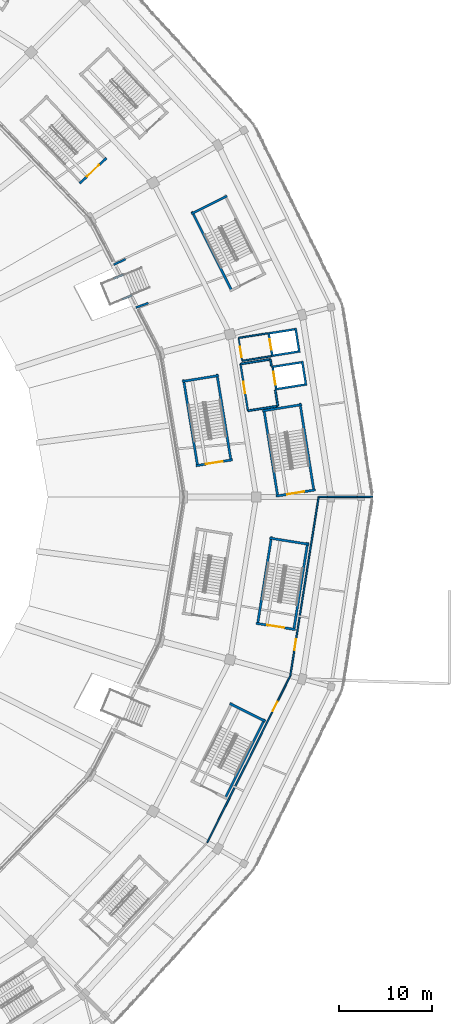
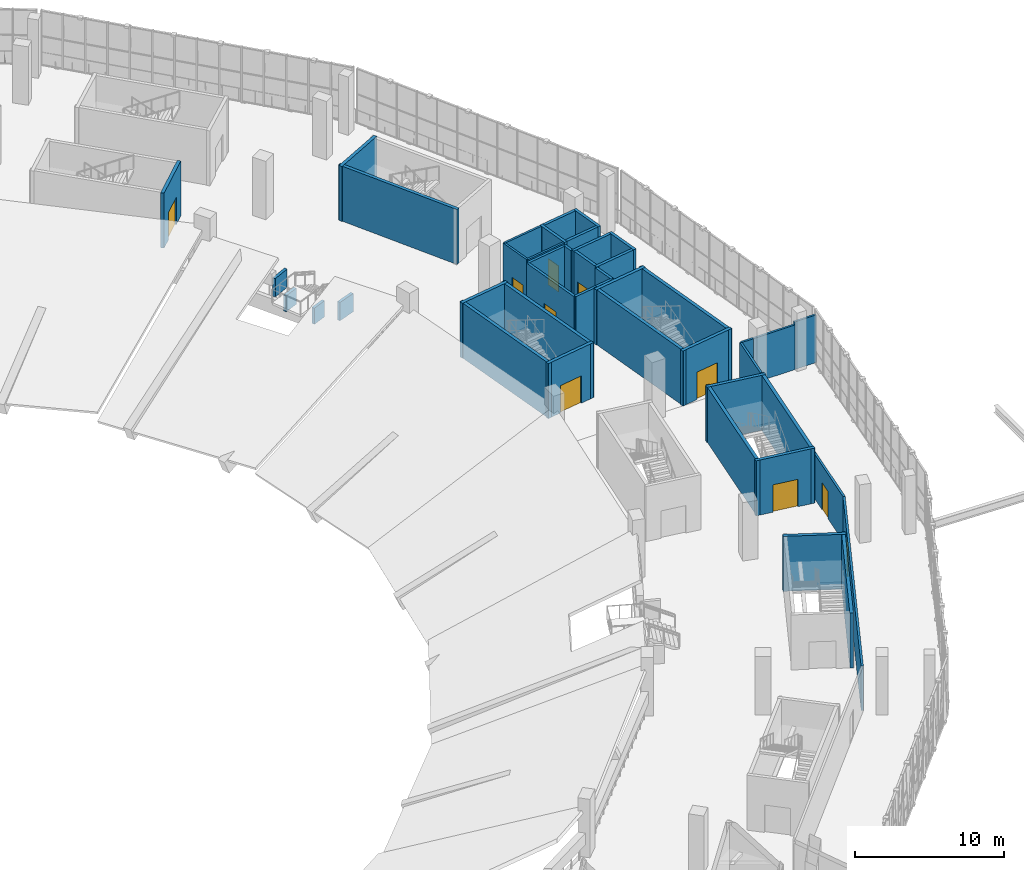
# One storey, part 105 of 183: 42 walls, 10 doors, 10 openings.
"""IFC4 building model written with IfcOpenShell, lengths in metres."""

from ifc_helpers import new_model, si_unit, direction, frame, frame_2d, origin, place, context, subcontext, project, spatial, rectangle, extrude, material, layer, layer_set, type_object, element, fill, save


model = new_model("IFC4")

# Units and contexts
model_context = context("Model", 3, precision=1e-05, world=origin(), true_north=direction((0.0, 1.0)))
body_context = subcontext(model_context, "Body", "Model", "MODEL_VIEW")
ifc_project = project(units=[si_unit("LENGTHUNIT", "METRE"), si_unit("AREAUNIT", "SQUARE_METRE"), si_unit("VOLUMEUNIT", "CUBIC_METRE"), si_unit("PLANEANGLEUNIT", "RADIAN"), si_unit("MASSUNIT", "GRAM", prefix="KILO")], contexts=[model_context])

# Site, building, storey
site_placement = place(None, origin())
site = spatial("IfcSite", under=ifc_project, at=site_placement, CompositionType="ELEMENT")
building_placement = place(site_placement, origin())
building = spatial("IfcBuilding", under=site, at=building_placement, Name="Zevraka Park Crest Stadium", CompositionType="ELEMENT")
storey_placement = place(building_placement, frame((0.0, 0.0, 5.39990234375)))
storey = spatial("IfcBuildingStorey", under=building, at=storey_placement, Name="L01", CompositionType="ELEMENT", Elevation=5.39990234375)

# Walls
ifc_material_1 = material(Name="Autoclaved aerated masonry blockwork", Category="masonry")
ifc_layer_1 = layer(ifc_material_1, 0.199951171875)
ifc_layer_set_1 = layer_set([ifc_layer_1], Name="Autoclaved aerated masonry blockwork")
wall_type_1 = type_object("IfcWallType", Name="IW01", PredefinedType="PARTITIONING", material=ifc_layer_set_1)
wall_1_placement = place(storey_placement, frame((195.81689453125, 106.743896484375, 0.0), z_axis=(0.0, 0.0, 1.0), x_axis=(0.157482870509, -0.987521719, 0.0)))
element("IfcWall", 1, at=wall_1_placement, inside=storey, type_object=wall_type_1, Name="Firefighting Lift Lobby Wall IW01 FL01 L01 BACKL", PredefinedType="PARTITIONING", context=body_context, shape_type="SweptSolid", body=[
    extrude(rectangle(XDim=0.750244140625, YDim=0.199951171875, at=frame_2d((0.375, 0.0))), origin(), (0.0, 0.0, 1.0), 4.5),
])
wall_2_placement = place(storey_placement, frame((196.343017578125, 103.43603515625, 0.0), z_axis=(0.0, 0.0, 1.0), x_axis=(0.156960903537, -0.987604817101, 0.0)))
element("IfcWall", 2, at=wall_2_placement, inside=storey, type_object=wall_type_1, Name="Firefighting Lift Lobby Wall IW01 FL01 L01 BACKR", PredefinedType="PARTITIONING", context=body_context, shape_type="SweptSolid", body=[
    extrude(rectangle(XDim=1.72021484375, YDim=0.199951171875, at=frame_2d((0.860107421875, 0.0))), origin(), (0.0, 0.0, 1.0), 4.5),
])
wall_3_placement = place(storey_placement, frame((195.81689453125, 106.743896484375, 0.0), z_axis=(0.0, 0.0, 1.0), x_axis=(-0.987633675984, -0.156779214382, 0.0)))
element("IfcWall", 3, at=wall_3_placement, inside=storey, type_object=wall_type_1, Name="Firefighting Lift Lobby Wall IW01 FL01 L01 LEFT", PredefinedType="PARTITIONING", context=body_context, shape_type="SweptSolid", body=[
    extrude(rectangle(XDim=3.239013671875, YDim=0.199951171875, at=frame_2d((1.61962890625, 0.0))), origin(), (0.0, 0.0, 1.0), 4.5),
])
wall_4_placement = place(storey_placement, frame((196.613037109375, 101.737060546875, 0.0), z_axis=(0.0, 0.0, 1.0), x_axis=(-0.987629416648, -0.156806043797, 0.0)))
element("IfcWall", 4, at=wall_4_placement, inside=storey, type_object=wall_type_1, Name="Firefighting Lift Lobby Wall IW01 FL01 L01 RIGHT", PredefinedType="PARTITIONING", context=body_context, shape_type="SweptSolid", body=[
    extrude(rectangle(XDim=3.239990234375, YDim=0.199951171875, at=frame_2d((1.6201171875, 0.0))), origin(), (0.0, 0.0, 1.0), 4.5),
])

# Wall, opening, door
wall_5_placement = place(storey_placement, frame((192.617919921875, 106.236083984375, 0.0), z_axis=(0.0, 0.0, 1.0), x_axis=(0.156842848291, -0.987623572491, 0.0)))
wall_5 = element("IfcWall", 5, at=wall_5_placement, inside=storey, type_object=wall_type_1, Name="Firefighting Lift Lobby Wall IW01 FL01 L01 FRONT", PredefinedType="PARTITIONING", context=body_context, shape_type="SweptSolid", body=[
    extrude(rectangle(XDim=5.06982421875, YDim=0.199951171875, at=frame_2d((2.534912109375, 0.0))), origin(), (0.0, 0.0, 1.0), 4.5),
])
opening_1_placement = place(wall_5_placement, frame((1.909912109375, 0.0, 0.0)))
opening_1 = element("IfcOpeningElement", 6, at=opening_1_placement, cuts=wall_5, Name="Opening D-L01-284", PredefinedType="OPENING", context=body_context, shape_type="SweptSolid", body=[
    extrude(rectangle(XDim=1.25, YDim=2.199951171875, at=frame_2d((0.625, 1.10009765625))), frame((0.0, 0.10986328125, 0.0), z_axis=(0.0, -1.0, 0.0), x_axis=(1.0, 0.0, 0.0)), (0.0, 0.0, 1.0), 0.219970703125),
])
ifc_material_2 = material(Name="Solid-core hardwood timber leaf in steel frame", Category="steel")
door_type_1 = type_object("IfcDoorType", Name="DR07", OperationType="NOTDEFINED", PredefinedType="DOOR", material=ifc_material_2)
door_1_placement = place(opening_1_placement, origin())
door_1 = element("IfcDoor", 7, at=door_1_placement, inside=storey, type_object=door_type_1, Name="Firefighting Lift Lobby FL01 Door D-L01-284", OperationType="SINGLE_SWING_RIGHT", OverallHeight=2.199951171875, OverallWidth=1.25, PredefinedType="DOOR", context=body_context, shape_type="SweptSolid", body=[
    extrude(rectangle(XDim=1.25, YDim=2.199951171875, at=frame_2d((0.625, 1.10009765625))), frame((0.0, 0.02490234375, 0.0), z_axis=(0.0, -1.0, 0.0), x_axis=(1.0, 0.0, 0.0)), (0.0, 0.0, 1.0), 0.050048828125),
])
fill(opening_1, door_1)

# Walls
ifc_material_3 = material(Name="Fire-rated twin-stud acoustic drywall", Category="other")
ifc_layer_2 = layer(ifc_material_3, 0.159912109375)
ifc_layer_set_2 = layer_set([ifc_layer_2], Name="Fire-rated twin-stud acoustic drywall")
wall_type_2 = type_object("IfcWallType", Name="IW02", PredefinedType="PARTITIONING", material=ifc_layer_set_2)
wall_6_placement = place(storey_placement, frame((195.547119140625, 109.527099609375, 0.0), z_axis=(0.0, 0.0, 1.0), x_axis=(-0.987632121619, -0.156789005818, 0.0)))
element("IfcWall", 8, at=wall_6_placement, inside=storey, type_object=wall_type_2, Name="Passenger Lift Lobby Wall IW02 PL01 L01 LEFT", PredefinedType="PARTITIONING", context=body_context, shape_type="SweptSolid", body=[
    extrude(rectangle(XDim=3.17041015625, YDim=0.159912109375, at=frame_2d((1.585205078125, 0.0))), origin(), (0.0, 0.0, 1.0), 4.5),
])
wall_7_placement = place(storey_placement, frame((195.93603515625, 107.076904296875, 0.0), z_axis=(0.0, 0.0, 1.0), x_axis=(-0.987644043639, -0.156713889186, 0.0)))
element("IfcWall", 9, at=wall_7_placement, inside=storey, type_object=wall_type_2, Name="Passenger Lift Lobby Wall IW02 PL01 L01 RIGHT", PredefinedType="PARTITIONING", context=body_context, shape_type="SweptSolid", body=[
    extrude(rectangle(XDim=3.170166015625, YDim=0.159912109375, at=frame_2d((1.5849609375, 0.0))), origin(), (0.0, 0.0, 1.0), 4.5),
])

# Wall, opening, door
wall_8_placement = place(storey_placement, frame((192.416015625, 109.030029296875, 0.0), z_axis=(0.0, 0.0, 1.0), x_axis=(0.156781258489, -0.987633351496, 0.0)))
wall_8 = element("IfcWall", 10, at=wall_8_placement, inside=storey, type_object=wall_type_2, Name="Passenger Lift Lobby Wall IW02 PL01 L01 FRONT", PredefinedType="PARTITIONING", context=body_context, shape_type="SweptSolid", body=[
    extrude(rectangle(XDim=2.480712890625, YDim=0.159912109375, at=frame_2d((1.240234375, 0.0))), origin(), (0.0, 0.0, 1.0), 4.5),
])
opening_2_placement = place(wall_8_placement, frame((0.962890625, 0.0, 0.0)))
opening_2 = element("IfcOpeningElement", 11, at=opening_2_placement, cuts=wall_8, Name="Opening D-L01-290", PredefinedType="OPENING", context=body_context, shape_type="SweptSolid", body=[
    extrude(rectangle(XDim=1.14990234375, YDim=2.199951171875, at=frame_2d((0.574951171875, 1.10009765625))), frame((0.0, 0.08984375, 0.0), z_axis=(0.0, -1.0, 0.0), x_axis=(1.0, 0.0, 0.0)), (0.0, 0.0, 1.0), 0.179931640625),
])
ifc_material_4 = material(Name="Solid-core hardwood timber leaf in steel frame", Category="steel")
door_type_2 = type_object("IfcDoorType", Name="DR03", OperationType="NOTDEFINED", PredefinedType="DOOR", material=ifc_material_4)
door_2_placement = place(opening_2_placement, origin())
door_2 = element("IfcDoor", 12, at=door_2_placement, inside=storey, type_object=door_type_2, Name="Passenger Lift Lobby PL01 Door D-L01-290", OperationType="SINGLE_SWING_RIGHT", OverallHeight=2.199951171875, OverallWidth=1.14990234375, PredefinedType="DOOR", context=body_context, shape_type="SweptSolid", body=[
    extrude(rectangle(XDim=1.14990234375, YDim=2.199951171875, at=frame_2d((0.574951171875, 1.10009765625))), frame((0.0, 0.02490234375, 0.0), z_axis=(0.0, -1.0, 0.0), x_axis=(1.0, 0.0, 0.0)), (0.0, 0.0, 1.0), 0.050048828125),
])
fill(opening_2, door_2)

wall_9_placement = place(storey_placement, frame((189.05908203125, 55.010009765625, 0.0), z_axis=(0.0, 0.0, 1.0), x_axis=(0.44590512567, 0.895080230427, 0.0)))
wall_9 = element("IfcWall", 13, at=wall_9_placement, inside=storey, type_object=wall_type_2, Name="Interior Partition IW02 Concourse Stockroom and Store L01", PredefinedType="PARTITIONING", context=body_context, shape_type="SweptSolid", body=[
    extrude(rectangle(XDim=19.9345703125, YDim=0.159912109375, at=frame_2d((9.96728515625, 0.0))), origin(), (0.0, 0.0, 1.0), 3.6650390625),
])
opening_3_placement = place(wall_9_placement, frame((15.72412109375, 0.0, 0.0)))
opening_3 = element("IfcOpeningElement", 14, at=opening_3_placement, cuts=wall_9, Name="Opening D-L01-381", PredefinedType="OPENING", context=body_context, shape_type="SweptSolid", body=[
    extrude(rectangle(XDim=1.1201171875, YDim=2.25, at=frame_2d((0.56005859375, 1.125))), frame((0.0, 0.08984375, 0.0), z_axis=(0.0, -1.0, 0.0), x_axis=(1.0, 0.0, 0.0)), (0.0, 0.0, 1.0), 0.179931640625),
])
ifc_material_5 = material(Name="Solid-core hardwood timber leaf in steel frame", Category="steel")
door_type_3 = type_object("IfcDoorType", Name="DR23", OperationType="NOTDEFINED", PredefinedType="DOOR", material=ifc_material_5)
door_3_placement = place(opening_3_placement, origin())
door_3 = element("IfcDoor", 15, at=door_3_placement, inside=storey, type_object=door_type_3, Name="Concourse Stockroom and Store Door D-L01-381", OperationType="SINGLE_SWING_LEFT", OverallHeight=2.25, OverallWidth=1.1201171875, PredefinedType="DOOR", context=body_context, shape_type="SweptSolid", body=[
    extrude(rectangle(XDim=1.1201171875, YDim=2.25, at=frame_2d((0.56005859375, 1.125))), frame((0.0, 0.02490234375, 0.0), z_axis=(0.0, -1.0, 0.0), x_axis=(1.0, 0.0, 0.0)), (0.0, 0.0, 1.0), 0.050048828125),
])
fill(opening_3, door_3)

wall_10_placement = place(storey_placement, frame((197.947998046875, 72.85302734375, 0.0), z_axis=(0.0, 0.0, 1.0), x_axis=(0.156404265147, 0.987693123315, 0.0)))
wall_10 = element("IfcWall", 16, at=wall_10_placement, inside=storey, type_object=wall_type_2, Name="Interior Partition IW02 Concourse Stockroom and Store L01", PredefinedType="PARTITIONING", context=body_context, shape_type="SweptSolid", body=[
    extrude(rectangle(XDim=19.385498046875, YDim=0.159912109375, at=frame_2d((9.69287109375, 0.0))), origin(), (0.0, 0.0, 1.0), 3.6650390625),
])
opening_4_placement = place(wall_10_placement, frame((2.799072265625, 0.0, 0.0)))
opening_4 = element("IfcOpeningElement", 17, at=opening_4_placement, cuts=wall_10, Name="Opening D-L01-382", PredefinedType="OPENING", context=body_context, shape_type="SweptSolid", body=[
    extrude(rectangle(XDim=1.179931640625, YDim=2.25, at=frame_2d((0.58984375, 1.125))), frame((0.0, 0.08984375, 0.0), z_axis=(0.0, -1.0, 0.0), x_axis=(1.0, 0.0, 0.0)), (0.0, 0.0, 1.0), 0.179931640625),
])
ifc_material_6 = material(Name="Solid-core hardwood timber leaf in steel frame", Category="steel")
door_type_4 = type_object("IfcDoorType", Name="DR24", OperationType="NOTDEFINED", PredefinedType="DOOR", material=ifc_material_6)
door_4_placement = place(opening_4_placement, origin())
door_4 = element("IfcDoor", 18, at=door_4_placement, inside=storey, type_object=door_type_4, Name="Concourse Stockroom and Store Door D-L01-382", OperationType="SINGLE_SWING_RIGHT", OverallHeight=2.25, OverallWidth=1.179931640625, PredefinedType="DOOR", context=body_context, shape_type="SweptSolid", body=[
    extrude(rectangle(XDim=1.179931640625, YDim=2.25, at=frame_2d((0.58984375, 1.125))), frame((0.0, 0.02490234375, 0.0), z_axis=(0.0, -1.0, 0.0), x_axis=(1.0, 0.0, 0.0)), (0.0, 0.0, 1.0), 0.050048828125),
])
fill(opening_4, door_4)

# Walls
wall_11_placement = place(storey_placement, frame((200.97998046875, 92.0, 0.0), z_axis=(0.0, 0.0, 1.0), x_axis=(1.0, 0.0, 0.0)))
element("IfcWall", 19, at=wall_11_placement, inside=storey, type_object=wall_type_2, Name="Interior Partition IW02 Concourse Stockroom and Store L01", PredefinedType="PARTITIONING", context=body_context, shape_type="SweptSolid", body=[
    extrude(rectangle(XDim=0.93505859375, YDim=0.159912109375, at=frame_2d((0.467529296875, 0.0))), origin(), (0.0, 0.0, 1.0), 3.6650390625),
])
wall_12_placement = place(storey_placement, frame((201.89990234375, 92.0, 0.0), z_axis=(0.0, 0.0, 1.0), x_axis=(1.0, 0.0, 0.0)))
element("IfcWall", 20, at=wall_12_placement, inside=storey, type_object=wall_type_2, Name="Interior Partition IW02 Concourse Stockroom and Store L01", PredefinedType="PARTITIONING", context=body_context, shape_type="SweptSolid", body=[
    extrude(rectangle(XDim=3.239990234375, YDim=0.159912109375, at=frame_2d((1.6201171875, 0.0))), origin(), (0.0, 0.0, 1.0), 3.6650390625),
])
wall_13_placement = place(storey_placement, frame((205.125, 92.0, 0.0), z_axis=(0.0, 0.0, 1.0), x_axis=(1.0, 0.0, 0.0)))
element("IfcWall", 21, at=wall_13_placement, inside=storey, type_object=wall_type_2, Name="Interior Partition IW02 Concourse Stockroom and Store L01", PredefinedType="PARTITIONING", context=body_context, shape_type="SweptSolid", body=[
    extrude(rectangle(XDim=1.675048828125, YDim=0.159912109375, at=frame_2d((0.83740234375, 0.0))), origin(), (0.0, 0.0, 1.0), 3.9150390625),
])
ifc_material_7 = material(Name="Concrete C40/50", Category="concrete")
ifc_layer_3 = layer(ifc_material_7, 0.25)
ifc_layer_set_3 = layer_set([ifc_layer_3], Name="Concrete C40/50")
wall_type_3 = type_object("IfcWallType", Name="SW01", PredefinedType="SHEAR", material=ifc_layer_set_3)
for number, where, z_axis, x_axis, name in (
    (22, (200.486328125, 92.611572265625, 0.0), (0.0, 0.0, 1.0), (-0.157268610044, 0.987555863886, 0.0), "Stair Core Shear Wall SW01 ST01 L01 left"),
    (23, (195.11328125, 101.426513671875, 0.0), (0.0, 0.0, 1.0), (0.157243678356, -0.987559833943, 0.0), "Stair Core Shear Wall SW01 ST01 L01 right"),
):
    element("IfcWall", number, at=place(storey_placement, frame(where, z_axis=z_axis, x_axis=x_axis)), inside=storey, type_object=wall_type_3, Name=name, PredefinedType="SHEAR", context=body_context, shape_type="SweptSolid", body=[
        extrude(rectangle(XDim=9.55029296875, YDim=0.25, at=frame_2d((4.775146484375, 0.0))), origin(), (0.0, 0.0, 1.0), 4.52001953125),
    ])

# Wall, opening, door
wall_14_placement = place(storey_placement, frame((196.427490234375, 92.092041015625, 0.0), z_axis=(0.0, 0.0, 1.0), x_axis=(0.987557660991, 0.157257324847, 0.0)))
wall_14 = element("IfcWall", 24, at=wall_14_placement, inside=storey, type_object=wall_type_3, Name="Stair Core Shear Wall SW01 ST01 L01 near", PredefinedType="SHEAR", context=body_context, shape_type="SweptSolid", body=[
    extrude(rectangle(XDim=4.260009765625, YDim=0.25, at=frame_2d((2.1298828125, 0.0))), origin(), (0.0, 0.0, 1.0), 4.52001953125),
])
opening_5_placement = place(wall_14_placement, frame((1.22998046875, 0.0, 0.0)))
opening_5 = element("IfcOpeningElement", 25, at=opening_5_placement, cuts=wall_14, Name="Opening D-L01-003", PredefinedType="OPENING", context=body_context, shape_type="SweptSolid", body=[
    extrude(rectangle(XDim=1.800048828125, YDim=2.25, at=frame_2d((0.89990234375, 1.125))), frame((0.0, 0.135009765625, 0.0), z_axis=(0.0, -1.0, 0.0), x_axis=(1.0, 0.0, 0.0)), (0.0, 0.0, 1.0), 0.27001953125),
])
ifc_material_8 = material(Name="Solid-core hardwood timber leaf in steel frame", Category="steel")
door_type_5 = type_object("IfcDoorType", Name="DR04", OperationType="NOTDEFINED", PredefinedType="DOOR", material=ifc_material_8)
door_5_placement = place(opening_5_placement, origin())
door_5 = element("IfcDoor", 26, at=door_5_placement, inside=storey, type_object=door_type_5, Name="Protected Stair Entry Door ST01 L01", OperationType="DOUBLE_DOOR_SINGLE_SWING", OverallHeight=2.25, OverallWidth=1.800048828125, PredefinedType="DOOR", context=body_context, shape_type="SweptSolid", body=[
    extrude(rectangle(XDim=1.800048828125, YDim=2.25, at=frame_2d((0.89990234375, 1.125))), frame((0.0, 0.02490234375, 0.0), z_axis=(0.0, -1.0, 0.0), x_axis=(1.0, 0.0, 0.0)), (0.0, 0.0, 1.0), 0.050048828125),
])
fill(opening_5, door_5)

# Walls
wall_15_placement = place(storey_placement, frame((199.181396484375, 101.886962890625, 0.0), z_axis=(0.0, 0.0, 1.0), x_axis=(-0.987557660991, -0.157257324847, 0.0)))
element("IfcWall", 27, at=wall_15_placement, inside=storey, type_object=wall_type_3, Name="Stair Core Shear Wall SW01 ST01 L01 far", PredefinedType="SHEAR", context=body_context, shape_type="SweptSolid", body=[
    extrude(rectangle(XDim=4.260009765625, YDim=0.25, at=frame_2d((2.1298828125, 0.0))), origin(), (0.0, 0.0, 1.0), 4.52001953125),
])
wall_16_placement = place(storey_placement, frame((187.43212890625, 122.556884765625, 0.0), z_axis=(0.0, 0.0, 1.0), x_axis=(0.447919041961, -0.894074119885, 0.0)))
element("IfcWall", 28, at=wall_16_placement, inside=storey, type_object=wall_type_3, Name="Stair Core Shear Wall SW01 ST02 L01 right", PredefinedType="SHEAR", context=body_context, shape_type="SweptSolid", body=[
    extrude(rectangle(XDim=9.5498046875, YDim=0.25, at=frame_2d((4.77490234375, 0.0))), origin(), (0.0, 0.0, 1.0), 4.52001953125),
])
wall_17_placement = place(storey_placement, frame((191.171875, 124.223388671875, 0.0), z_axis=(0.0, 0.0, 1.0), x_axis=(-0.89409454548, -0.447878268888, 0.0)))
element("IfcWall", 29, at=wall_17_placement, inside=storey, type_object=wall_type_3, Name="Stair Core Shear Wall SW01 ST02 L01 far", PredefinedType="SHEAR", context=body_context, shape_type="SweptSolid", body=[
    extrude(rectangle(XDim=4.260009765625, YDim=0.25, at=frame_2d((2.1298828125, 0.0))), origin(), (0.0, 0.0, 1.0), 4.52001953125),
])
wall_18_placement = place(storey_placement, frame((190.9365234375, 59.686767578125, 0.0), z_axis=(0.0, 0.0, 1.0), x_axis=(0.447919041961, 0.894074119885, 0.0)))
element("IfcWall", 30, at=wall_18_placement, inside=storey, type_object=wall_type_3, Name="Stair Core Shear Wall SW01 ST23 L01 left", PredefinedType="SHEAR", context=body_context, shape_type="SweptSolid", body=[
    extrude(rectangle(XDim=9.5498046875, YDim=0.25, at=frame_2d((4.77490234375, 0.0))), origin(), (0.0, 0.0, 1.0), 4.52001953125),
])
wall_19_placement = place(storey_placement, frame((195.283203125, 67.983642578125, 0.0), z_axis=(0.0, 0.0, 1.0), x_axis=(-0.894083048484, 0.447901219481, 0.0)))
element("IfcWall", 31, at=wall_19_placement, inside=storey, type_object=wall_type_3, Name="Stair Core Shear Wall SW01 ST23 L01 far", PredefinedType="SHEAR", context=body_context, shape_type="SweptSolid", body=[
    extrude(rectangle(XDim=4.259765625, YDim=0.25, at=frame_2d((2.1298828125, 0.0))), origin(), (0.0, 0.0, 1.0), 4.52001953125),
])
for number, where, z_axis, x_axis, name in (
    (32, (198.30859375, 77.71044921875, 0.0), (0.0, 0.0, 1.0), (0.157272580499, 0.987555231581, 0.0), "Stair Core Shear Wall SW01 ST24 L01 left"),
    (33, (195.939208984375, 87.758056640625, 0.0), (0.0, 0.0, 1.0), (-0.157247648214, -0.987559201836, 0.0), "Stair Core Shear Wall SW01 ST24 L01 right"),
):
    element("IfcWall", number, at=place(storey_placement, frame(where, z_axis=z_axis, x_axis=x_axis)), inside=storey, type_object=wall_type_3, Name=name, PredefinedType="SHEAR", context=body_context, shape_type="SweptSolid", body=[
        extrude(rectangle(XDim=9.550048828125, YDim=0.25, at=frame_2d((4.77490234375, 0.0))), origin(), (0.0, 0.0, 1.0), 4.52001953125),
    ])

# Wall, opening, door
wall_20_placement = place(storey_placement, frame((194.289306640625, 78.477294921875, 0.0), z_axis=(0.0, 0.0, 1.0), x_axis=(0.987548759282, -0.157313216355, 0.0)))
wall_20 = element("IfcWall", 34, at=wall_20_placement, inside=storey, type_object=wall_type_3, Name="Stair Core Shear Wall SW01 ST24 L01 near", PredefinedType="SHEAR", context=body_context, shape_type="SweptSolid", body=[
    extrude(rectangle(XDim=4.260009765625, YDim=0.25, at=frame_2d((2.1298828125, 0.0))), origin(), (0.0, 0.0, 1.0), 4.52001953125),
])
opening_6_placement = place(wall_20_placement, frame((1.22998046875, 0.0, 0.0)))
opening_6 = element("IfcOpeningElement", 35, at=opening_6_placement, cuts=wall_20, Name="Opening D-L01-142", PredefinedType="OPENING", context=body_context, shape_type="SweptSolid", body=[
    extrude(rectangle(XDim=1.800048828125, YDim=2.25, at=frame_2d((0.89990234375, 1.125))), frame((0.0, 0.135009765625, 0.0), z_axis=(0.0, -1.0, 0.0), x_axis=(1.0, 0.0, 0.0)), (0.0, 0.0, 1.0), 0.27001953125),
])
door_6_placement = place(opening_6_placement, origin())
door_6 = element("IfcDoor", 36, at=door_6_placement, inside=storey, type_object=door_type_5, Name="Protected Stair Entry Door ST24 L01", OperationType="DOUBLE_DOOR_SINGLE_SWING", OverallHeight=2.25, OverallWidth=1.800048828125, PredefinedType="DOOR", context=body_context, shape_type="SweptSolid", body=[
    extrude(rectangle(XDim=1.800048828125, YDim=2.25, at=frame_2d((0.89990234375, 1.125))), frame((0.0, 0.02490234375, 0.0), z_axis=(0.0, -1.0, 0.0), x_axis=(1.0, 0.0, 0.0)), (0.0, 0.0, 1.0), 0.050048828125),
])
fill(opening_6, door_6)

# Walls
wall_21_placement = place(storey_placement, frame((199.94921875, 86.932373046875, 0.0), z_axis=(0.0, 0.0, 1.0), x_axis=(-0.987556243614, 0.157266225551, 0.0)))
element("IfcWall", 37, at=wall_21_placement, inside=storey, type_object=wall_type_3, Name="Stair Core Shear Wall SW01 ST24 L01 far", PredefinedType="SHEAR", context=body_context, shape_type="SweptSolid", body=[
    extrude(rectangle(XDim=4.259765625, YDim=0.25, at=frame_2d((2.1298828125, 0.0))), origin(), (0.0, 0.0, 1.0), 4.52001953125),
])
wall_22_placement = place(storey_placement, frame((191.610107421875, 95.83203125, 0.0), z_axis=(0.0, 0.0, 1.0), x_axis=(-0.160694331821, 0.987004220721, 0.0)))
element("IfcWall", 38, at=wall_22_placement, inside=storey, type_object=wall_type_3, Name="Stair Core Shear Wall SW01 ST33 L01 left", PredefinedType="SHEAR", context=body_context, shape_type="SweptSolid", body=[
    extrude(rectangle(XDim=9.449951171875, YDim=0.25, at=frame_2d((4.72509765625, 0.0))), origin(), (0.0, 0.0, 1.0), 4.52001953125),
])
wall_23_placement = place(storey_placement, frame((186.5185546875, 104.57763671875, 0.0), z_axis=(0.0, 0.0, 1.0), x_axis=(0.160690234322, -0.987004887827, 0.0)))
element("IfcWall", 39, at=wall_23_placement, inside=storey, type_object=wall_type_3, Name="Stair Core Shear Wall SW01 ST33 L01 right", PredefinedType="SHEAR", context=body_context, shape_type="SweptSolid", body=[
    extrude(rectangle(XDim=9.4501953125, YDim=0.25, at=frame_2d((4.72509765625, 0.0))), origin(), (0.0, 0.0, 1.0), 4.52001953125),
])

# Wall, opening, door
wall_24_placement = place(storey_placement, frame((187.849365234375, 95.346435546875, 0.0), z_axis=(0.0, 0.0, 1.0), x_axis=(0.986998628025, 0.160728679072, 0.0)))
wall_24 = element("IfcWall", 40, at=wall_24_placement, inside=storey, type_object=wall_type_3, Name="Stair Core Shear Wall SW01 ST33 L01 near", PredefinedType="SHEAR", context=body_context, shape_type="SweptSolid", body=[
    extrude(rectangle(XDim=3.9599609375, YDim=0.25, at=frame_2d((1.97998046875, 0.0))), origin(), (0.0, 0.0, 1.0), 4.52001953125),
])
opening_7_placement = place(wall_24_placement, frame((1.080078125, 0.0, 0.0)))
opening_7 = element("IfcOpeningElement", 41, at=opening_7_placement, cuts=wall_24, Name="Opening D-L01-187", PredefinedType="OPENING", context=body_context, shape_type="SweptSolid", body=[
    extrude(rectangle(XDim=1.800048828125, YDim=2.25, at=frame_2d((0.89990234375, 1.125))), frame((0.0, 0.135009765625, 0.0), z_axis=(0.0, -1.0, 0.0), x_axis=(1.0, 0.0, 0.0)), (0.0, 0.0, 1.0), 0.27001953125),
])
door_7_placement = place(opening_7_placement, origin())
door_7 = element("IfcDoor", 42, at=door_7_placement, inside=storey, type_object=door_type_5, Name="Protected Stair Entry Door ST33 L01", OperationType="DOUBLE_DOOR_SINGLE_SWING", OverallHeight=2.25, OverallWidth=1.800048828125, PredefinedType="DOOR", context=body_context, shape_type="SweptSolid", body=[
    extrude(rectangle(XDim=1.800048828125, YDim=2.25, at=frame_2d((0.89990234375, 1.125))), frame((0.0, 0.02490234375, 0.0), z_axis=(0.0, -1.0, 0.0), x_axis=(1.0, 0.0, 0.0)), (0.0, 0.0, 1.0), 0.050048828125),
])
fill(opening_7, door_7)

# Wall
wall_25_placement = place(storey_placement, frame((190.2890625, 105.00390625, 0.0), z_axis=(0.0, 0.0, 1.0), x_axis=(-0.987009998221, -0.160658841684, 0.0)))
element("IfcWall", 43, at=wall_25_placement, inside=storey, type_object=wall_type_3, Name="Stair Core Shear Wall SW01 ST33 L01 far", PredefinedType="SHEAR", context=body_context, shape_type="SweptSolid", body=[
    extrude(rectangle(XDim=3.960205078125, YDim=0.25, at=frame_2d((1.97998046875, 0.0))), origin(), (0.0, 0.0, 1.0), 4.52001953125),
])

# Wall, opening, door
wall_26_placement = place(storey_placement, frame((175.396728515625, 125.565673828125, 0.0), z_axis=(0.0, 0.0, 1.0), x_axis=(0.725390288694, 0.688337801569, 0.0)))
wall_26 = element("IfcWall", 44, at=wall_26_placement, inside=storey, type_object=wall_type_3, Name="Stair Core Shear Wall SW01 ST34 L01 near", PredefinedType="SHEAR", context=body_context, shape_type="SweptSolid", body=[
    extrude(rectangle(XDim=3.9599609375, YDim=0.25, at=frame_2d((1.97998046875, 0.0))), origin(), (0.0, 0.0, 1.0), 4.52001953125),
])
opening_8_placement = place(wall_26_placement, frame((1.080078125, 0.0, 0.0)))
opening_8 = element("IfcOpeningElement", 45, at=opening_8_placement, cuts=wall_26, Name="Opening D-L01-191", PredefinedType="OPENING", context=body_context, shape_type="SweptSolid", body=[
    extrude(rectangle(XDim=1.800048828125, YDim=2.25, at=frame_2d((0.89990234375, 1.125))), frame((0.0, 0.135009765625, 0.0), z_axis=(0.0, -1.0, 0.0), x_axis=(1.0, 0.0, 0.0)), (0.0, 0.0, 1.0), 0.27001953125),
])
door_8_placement = place(opening_8_placement, origin())
door_8 = element("IfcDoor", 46, at=door_8_placement, inside=storey, type_object=door_type_5, Name="Protected Stair Entry Door ST34 L01", OperationType="DOUBLE_DOOR_SINGLE_SWING", OverallHeight=2.25, OverallWidth=1.800048828125, PredefinedType="DOOR", context=body_context, shape_type="SweptSolid", body=[
    extrude(rectangle(XDim=1.800048828125, YDim=2.25, at=frame_2d((0.89990234375, 1.125))), frame((0.0, 0.02490234375, 0.0), z_axis=(0.0, -1.0, 0.0), x_axis=(1.0, 0.0, 0.0)), (0.0, 0.0, 1.0), 0.050048828125),
])
fill(opening_8, door_8)

# Walls
ifc_material_9 = material(Name="Concrete C40/50", Category="concrete")
ifc_layer_4 = layer(ifc_material_9, 0.219970703125)
ifc_layer_set_4 = layer_set([ifc_layer_4], Name="Concrete C40/50")
wall_type_4 = type_object("IfcWallType", Name="SW02", PredefinedType="SHEAR", material=ifc_layer_set_4)
for number, where, z_axis, x_axis, name in (
    (47, (181.430908203125, 112.279052734375, 0.0), (0.0, 0.0, 1.0), (0.939170864262, 0.343450269648, 0.0), "Vomitory Portal Raker Pier Wall SW02 01-1"),
    (48, (179.049072265625, 116.87109375, 0.0), (0.0, 0.0, 1.0), (0.906956638148, 0.421223998033, 0.0), "Vomitory Portal Raker Pier Wall SW02 01-2"),
):
    element("IfcWall", number, at=place(storey_placement, frame(where, z_axis=z_axis, x_axis=x_axis)), inside=storey, type_object=wall_type_4, Name=name, PredefinedType="SHEAR", context=body_context, shape_type="SweptSolid", body=[
        extrude(rectangle(XDim=1.400390625, YDim=0.219970703125, at=frame_2d((0.7001953125, 0.0))), origin(), (0.0, 0.0, 1.0), 1.510009765625),
    ])
for number, where, z_axis, x_axis, name in (
    (49, (180.0810546875, 115.80810546875, -0.2998046875), (0.0, 0.0, 1.0), (-0.923844027884, -0.382769136873, 0.0), "Vomitory Portal Support Wall SW02 VS-01-1"),
    (50, (180.9990234375, 113.590087890625, -0.2998046875), (0.0, 0.0, 1.0), (-0.923844027884, -0.382769136873, 0.0), "Vomitory Portal Support Wall SW02 VS-01-2"),
):
    element("IfcWall", number, at=place(storey_placement, frame(where, z_axis=z_axis, x_axis=x_axis)), inside=storey, type_object=wall_type_4, Name=name, PredefinedType="SHEAR", context=body_context, shape_type="SweptSolid", body=[
        extrude(rectangle(XDim=1.13671875, YDim=0.219970703125, at=frame_2d((0.568359375, 0.0))), origin(), (0.0, 0.0, 1.0), 1.31982421875),
    ])
wall_27_placement = place(storey_placement, frame((199.635009765625, 103.93701171875, 0.0), z_axis=(0.0, 0.0, 1.0), x_axis=(-0.156807626334, 0.987629165387, 0.0)))
element("IfcWall", 51, at=wall_27_placement, inside=storey, type_object=wall_type_4, Name="Lift Shaft Shear Wall SW02 FL01 L01-1", PredefinedType="SHEAR", context=body_context, shape_type="SweptSolid", body=[
    extrude(rectangle(XDim=2.640625, YDim=0.219970703125, at=frame_2d((1.3203125, 0.0))), origin(), (0.0, 0.0, 1.0), 4.52001953125),
])
wall_28_placement = place(storey_placement, frame((199.346923828125, 106.452880859375, 0.0), z_axis=(0.0, 0.0, 1.0), x_axis=(-0.987703627881, -0.156337914372, 0.0)))
element("IfcWall", 52, at=wall_28_placement, inside=storey, type_object=wall_type_4, Name="Lift Shaft Shear Wall SW02 FL01 L01-2", PredefinedType="SHEAR", context=body_context, shape_type="SweptSolid", body=[
    extrude(rectangle(XDim=3.440185546875, YDim=0.219970703125, at=frame_2d((1.72021484375, 0.0))), origin(), (0.0, 0.0, 1.0), 4.52001953125),
])

# Wall, opening, door
wall_29_placement = place(storey_placement, frame((196.041015625, 106.041015625, 0.0), z_axis=(0.0, 0.0, 1.0), x_axis=(0.156807626334, -0.987629165387, 0.0)))
wall_29 = element("IfcWall", 53, at=wall_29_placement, inside=storey, type_object=wall_type_4, Name="Lift Shaft Shear Wall SW02 FL01 L01-3", PredefinedType="SHEAR", context=body_context, shape_type="SweptSolid", body=[
    extrude(rectangle(XDim=2.640625, YDim=0.219970703125, at=frame_2d((1.3203125, 0.0))), origin(), (0.0, 0.0, 1.0), 4.52001953125),
])
opening_9_placement = place(wall_29_placement, frame((0.6201171875, 0.0, 0.0)))
opening_9 = element("IfcOpeningElement", 54, at=opening_9_placement, cuts=wall_29, Name="Opening LD-FL01-L01", PredefinedType="OPENING", context=body_context, shape_type="SweptSolid", body=[
    extrude(rectangle(XDim=1.39990234375, YDim=2.199951171875, at=frame_2d((0.699951171875, 1.10009765625))), frame((0.0, 0.119873046875, 0.0), z_axis=(0.0, -1.0, 0.0), x_axis=(1.0, 0.0, 0.0)), (0.0, 0.0, 1.0), 0.239990234375),
])
ifc_material_10 = material(Name="Brushed stainless steel lift landing doors", Category="steel")
door_type_6 = type_object("IfcDoorType", Name="LD01", OperationType="NOTDEFINED", PredefinedType="DOOR", material=ifc_material_10)
door_9_placement = place(opening_9_placement, origin())
door_9 = element("IfcDoor", 55, at=door_9_placement, inside=storey, type_object=door_type_6, Name="Lift Sliding Landing Door LD-FL01-L01", OperationType="SLIDING_TO_LEFT", OverallHeight=2.199951171875, OverallWidth=1.39990234375, PredefinedType="DOOR", context=body_context, shape_type="SweptSolid", body=[
    extrude(rectangle(XDim=1.39990234375, YDim=2.199951171875, at=frame_2d((0.699951171875, 1.10009765625))), frame((0.0, 0.02490234375, 0.0), z_axis=(0.0, -1.0, 0.0), x_axis=(1.0, 0.0, 0.0)), (0.0, 0.0, 1.0), 0.050048828125),
])
fill(opening_9, door_9)

# Walls
wall_30_placement = place(storey_placement, frame((196.3291015625, 103.52490234375, 0.0), z_axis=(0.0, 0.0, 1.0), x_axis=(0.987692667337, 0.156407144619, 0.0)))
element("IfcWall", 56, at=wall_30_placement, inside=storey, type_object=wall_type_4, Name="Lift Shaft Shear Wall SW02 FL01 L01-4", PredefinedType="SHEAR", context=body_context, shape_type="SweptSolid", body=[
    extrude(rectangle(XDim=3.440185546875, YDim=0.219970703125, at=frame_2d((1.72021484375, 0.0))), origin(), (0.0, 0.0, 1.0), 4.52001953125),
])
wall_31_placement = place(storey_placement, frame((198.922119140625, 107.469970703125, 0.0), z_axis=(0.0, 0.0, 1.0), x_axis=(-0.156807626334, 0.987629165387, 0.0)))
element("IfcWall", 57, at=wall_31_placement, inside=storey, type_object=wall_type_4, Name="Lift Shaft Shear Wall SW02 PL01 L01-1", PredefinedType="SHEAR", context=body_context, shape_type="SweptSolid", body=[
    extrude(rectangle(XDim=2.640625, YDim=0.219970703125, at=frame_2d((1.3203125, 0.0))), origin(), (0.0, 0.0, 1.0), 4.52001953125),
])
wall_32_placement = place(storey_placement, frame((198.634033203125, 109.986083984375, 0.0), z_axis=(0.0, 0.0, 1.0), x_axis=(-0.987645460109, -0.156704962032, 0.0)))
element("IfcWall", 58, at=wall_32_placement, inside=storey, type_object=wall_type_4, Name="Lift Shaft Shear Wall SW02 PL01 L01-2", PredefinedType="SHEAR", context=body_context, shape_type="SweptSolid", body=[
    extrude(rectangle(XDim=3.140869140625, YDim=0.219970703125, at=frame_2d((1.5703125, 0.0))), origin(), (0.0, 0.0, 1.0), 4.52001953125),
])

# Wall, opening, door
wall_33_placement = place(storey_placement, frame((195.6240234375, 109.6201171875, 0.0), z_axis=(0.0, 0.0, 1.0), x_axis=(0.156793308963, -0.987631438475, 0.0)))
wall_33 = element("IfcWall", 59, at=wall_33_placement, inside=storey, type_object=wall_type_4, Name="Lift Shaft Shear Wall SW02 PL01 L01-3", PredefinedType="SHEAR", context=body_context, shape_type="SweptSolid", body=[
    extrude(rectangle(XDim=2.640869140625, YDim=0.219970703125, at=frame_2d((1.3203125, 0.0))), origin(), (0.0, 0.0, 1.0), 4.52001953125),
])
opening_10_placement = place(wall_33_placement, frame((0.77001953125, 0.0, 0.0)))
opening_10 = element("IfcOpeningElement", 60, at=opening_10_placement, cuts=wall_33, Name="Opening LD-PL01-L01", PredefinedType="OPENING", context=body_context, shape_type="SweptSolid", body=[
    extrude(rectangle(XDim=1.10009765625, YDim=2.14990234375, at=frame_2d((0.550048828125, 1.074951171875))), frame((0.0, 0.119873046875, 0.0), z_axis=(0.0, -1.0, 0.0), x_axis=(1.0, 0.0, 0.0)), (0.0, 0.0, 1.0), 0.239990234375),
])
ifc_material_11 = material(Name="Brushed stainless steel lift landing doors", Category="steel")
door_type_7 = type_object("IfcDoorType", Name="LD02", OperationType="NOTDEFINED", PredefinedType="DOOR", material=ifc_material_11)
door_10_placement = place(opening_10_placement, origin())
door_10 = element("IfcDoor", 61, at=door_10_placement, inside=storey, type_object=door_type_7, Name="Lift Sliding Landing Door LD-PL01-L01", OperationType="SLIDING_TO_LEFT", OverallHeight=2.14990234375, OverallWidth=1.10009765625, PredefinedType="DOOR", context=body_context, shape_type="SweptSolid", body=[
    extrude(rectangle(XDim=1.10009765625, YDim=2.14990234375, at=frame_2d((0.550048828125, 1.074951171875))), frame((0.0, 0.02490234375, 0.0), z_axis=(0.0, -1.0, 0.0), x_axis=(1.0, 0.0, 0.0)), (0.0, 0.0, 1.0), 0.050048828125),
])
fill(opening_10, door_10)

# Wall
wall_34_placement = place(storey_placement, frame((195.912109375, 107.10400390625, 0.0), z_axis=(0.0, 0.0, 1.0), x_axis=(0.98765558045, 0.156641164471, 0.0)))
element("IfcWall", 62, at=wall_34_placement, inside=storey, type_object=wall_type_4, Name="Lift Shaft Shear Wall SW02 PL01 L01-4", PredefinedType="SHEAR", context=body_context, shape_type="SweptSolid", body=[
    extrude(rectangle(XDim=3.140625, YDim=0.219970703125, at=frame_2d((1.5703125, 0.0))), origin(), (0.0, 0.0, 1.0), 4.52001953125),
])

save(model, "model.ifc")
